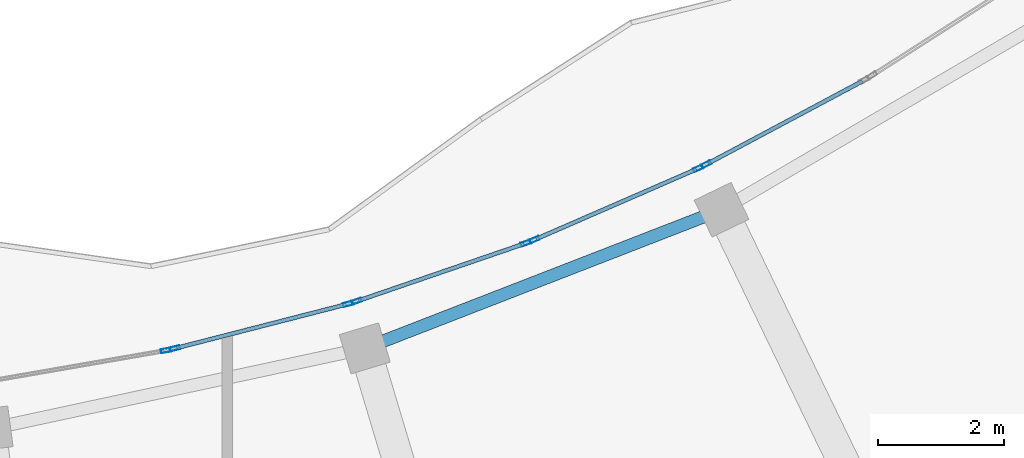
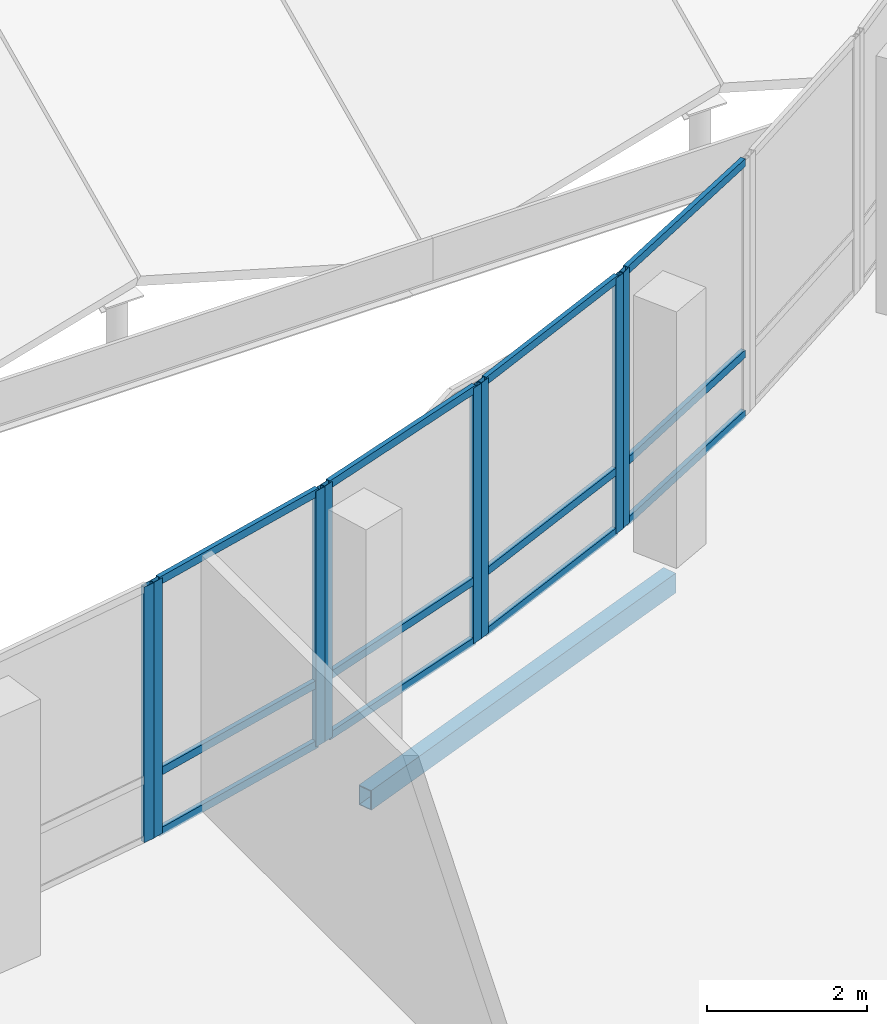
# One storey, part 41 of 184: 20 members, 1 beam, 5 elements without a shape of their own.
"""IFC4 building model written with IfcOpenShell, lengths in metres."""

from ifc_helpers import new_model, si_unit, direction, frame, origin, origin_2d, place, context, subcontext, project, spatial, hollow_rectangle, extrude, material, material_profile, profile_set, type_object, element, aggregate, save


model = new_model("IFC4")

# Units and contexts
model_context = context("Model", 3, precision=1e-05, world=origin(), true_north=direction((0.0, 1.0)))
body_context = subcontext(model_context, "Body", "Model", "MODEL_VIEW")
ifc_project = project(units=[si_unit("LENGTHUNIT", "METRE"), si_unit("AREAUNIT", "SQUARE_METRE"), si_unit("VOLUMEUNIT", "CUBIC_METRE"), si_unit("PLANEANGLEUNIT", "RADIAN"), si_unit("MASSUNIT", "GRAM", prefix="KILO")], contexts=[model_context])

# Site, building, storey
site_placement = place(None, origin())
site = spatial("IfcSite", under=ifc_project, at=site_placement, CompositionType="ELEMENT")
building_placement = place(site_placement, origin())
building = spatial("IfcBuilding", under=site, at=building_placement, Name="Selatvlak General Hospital", CompositionType="ELEMENT")
storey_placement = place(building_placement, frame((0.0, 0.0, 15.0)))
storey = spatial("IfcBuildingStorey", under=building, at=storey_placement, Name="L03", CompositionType="ELEMENT", Elevation=15.0)

# Beam
ifc_material_1 = material(Name="Steel S355", Category="steel")
ifc_material_profile_1 = material_profile(ifc_material_1, hollow_rectangle(XDim=0.199951171875, YDim=0.300048828125, WallThickness=0.011962890625, at=origin_2d()), Name="RHS 300x200x12")
ifc_profile_set_1 = profile_set([ifc_material_profile_1], Name="Steel S355")
beam_type = type_object("IfcBeamType", Name="BM-SP3", PredefinedType="SPANDREL", material=ifc_profile_set_1)
beam_placement = place(storey_placement, frame((66.97900390625, 42.861083984375, -0.489990234375), z_axis=(0.932142667184, 0.362091215048, 0.0), x_axis=(-0.362091215048, 0.932142667184, 0.0)))
element("IfcBeam", 1, at=beam_placement, inside=storey, type_object=beam_type, Name="Beam BMR-L03-1481", PredefinedType="SPANDREL", context=body_context, shape_type="SweptSolid", body=[
    extrude(hollow_rectangle(XDim=0.199951171875, YDim=0.300048828125, WallThickness=0.011962890625, at=origin_2d()), origin(), (0.0, 0.0, 1.0), 6.072998046875),
])

# Curtain wall, member
ifc_material_2 = material(Name="Solar-control Low-E double glazing", Category="glass")
curtain_wall_type_1 = type_object("IfcCurtainWallType", Name="CW-CW-02", PredefinedType="USERDEFINED", material=ifc_material_2)
curtain_wall_1_placement = place(storey_placement, origin())
curtain_wall_1 = element("IfcCurtainWall", 2, at=curtain_wall_1_placement, inside=storey, type_object=curtain_wall_type_1, Name="Glazed facade curtain wall CW-L03-0452", ObjectType="UNITISED CURTAIN WALL", PredefinedType="USERDEFINED")
ifc_material_3 = material(Name="Dark anodised aluminium mullion", Category="aluminium")
ifc_material_profile_2 = material_profile(ifc_material_3, hollow_rectangle(XDim=0.06494140625, YDim=0.159912109375, WallThickness=0.00390625, at=origin_2d()), Name="AL-MUL 65x160x4")
ifc_profile_set_2 = profile_set([ifc_material_profile_2], Name="Dark anodised aluminium mullion")
member_type_1 = type_object("IfcMemberType", Name="CWM-01", PredefinedType="MULLION", material=ifc_profile_set_2)
member_1_placement = place(storey_placement, frame((63.823974609375, 42.827392578125, 0.0), z_axis=(0.0, 0.0, 1.0), x_axis=(-0.170657302344, 0.985330444651, 0.0)))
member_1 = element("IfcMember", 3, at=member_1_placement, type_object=member_type_1, Name="CW-02 mullion 2", PredefinedType="MULLION", context=body_context, shape_type="SweptSolid", body=[
    extrude(hollow_rectangle(XDim=0.06494140625, YDim=0.159912109375, WallThickness=0.00390625, at=origin_2d()), origin(), (0.0, 0.0, 1.0), 3.89501953125),
])
aggregate(curtain_wall_1, [member_1])

# Curtain wall, members
curtain_wall_type_2 = type_object("IfcCurtainWallType", Name="CW-CW-01", PredefinedType="USERDEFINED", material=ifc_material_2)
curtain_wall_2_placement = place(storey_placement, origin())
curtain_wall_2 = element("IfcCurtainWall", 4, at=curtain_wall_2_placement, inside=storey, type_object=curtain_wall_type_2, Name="Glazed facade curtain wall CW-L03-0453", ObjectType="UNITISED CURTAIN WALL", PredefinedType="USERDEFINED")
member_2_placement = place(storey_placement, frame((63.965576171875, 42.860107421875, 0.0), z_axis=(0.0, 0.0, 1.0), x_axis=(-0.248607304863, 0.968604360907, 0.0)))
member_2 = element("IfcMember", 5, at=member_2_placement, type_object=member_type_1, Name="CW-01 mullion 1", PredefinedType="MULLION", context=body_context, shape_type="SweptSolid", body=[
    extrude(hollow_rectangle(XDim=0.06494140625, YDim=0.159912109375, WallThickness=0.00390625, at=origin_2d()), origin(), (0.0, 0.0, 1.0), 3.89501953125),
])
member_3_placement = place(storey_placement, frame((66.715576171875, 43.56591796875, 0.0), z_axis=(0.0, 0.0, 1.0), x_axis=(-0.248607304863, 0.968604360907, 0.0)))
member_3 = element("IfcMember", 6, at=member_3_placement, type_object=member_type_1, Name="CW-01 mullion 2", PredefinedType="MULLION", context=body_context, shape_type="SweptSolid", body=[
    extrude(hollow_rectangle(XDim=0.06494140625, YDim=0.159912109375, WallThickness=0.00390625, at=origin_2d()), origin(), (0.0, 0.0, 1.0), 3.89501953125),
])

curtain_wall_3_placement = place(storey_placement, origin())
curtain_wall_3 = element("IfcCurtainWall", 7, at=curtain_wall_3_placement, inside=storey, type_object=curtain_wall_type_1, Name="Glazed facade curtain wall CW-L03-0454", ObjectType="UNITISED CURTAIN WALL", PredefinedType="USERDEFINED")
member_4_placement = place(storey_placement, frame((66.853759765625, 43.609619140625, 0.0), z_axis=(0.0, 0.0, 1.0), x_axis=(-0.324491825998, 0.945888500226, 0.0)))
member_4 = element("IfcMember", 8, at=member_4_placement, type_object=member_type_1, Name="CW-02 mullion 1", PredefinedType="MULLION", context=body_context, shape_type="SweptSolid", body=[
    extrude(hollow_rectangle(XDim=0.06494140625, YDim=0.159912109375, WallThickness=0.00390625, at=origin_2d()), origin(), (0.0, 0.0, 1.0), 3.89501953125),
])
member_5_placement = place(storey_placement, frame((69.53515625, 44.529541015625, 0.0), z_axis=(0.0, 0.0, 1.0), x_axis=(-0.324491825998, 0.945888500226, 0.0)))
member_5 = element("IfcMember", 9, at=member_5_placement, type_object=member_type_1, Name="CW-02 mullion 2", PredefinedType="MULLION", context=body_context, shape_type="SweptSolid", body=[
    extrude(hollow_rectangle(XDim=0.06494140625, YDim=0.159912109375, WallThickness=0.00390625, at=origin_2d()), origin(), (0.0, 0.0, 1.0), 3.89501953125),
])

curtain_wall_4_placement = place(storey_placement, origin())
curtain_wall_4 = element("IfcCurtainWall", 10, at=curtain_wall_4_placement, inside=storey, type_object=curtain_wall_type_2, Name="Glazed facade curtain wall CW-L03-0455", ObjectType="UNITISED CURTAIN WALL", PredefinedType="USERDEFINED")
member_6_placement = place(storey_placement, frame((69.669677734375, 44.583984375, 0.0), z_axis=(0.0, 0.0, 1.0), x_axis=(-0.399117101371, 0.916899961497, 0.0)))
member_6 = element("IfcMember", 11, at=member_6_placement, type_object=member_type_1, Name="CW-01 mullion 1", PredefinedType="MULLION", context=body_context, shape_type="SweptSolid", body=[
    extrude(hollow_rectangle(XDim=0.06494140625, YDim=0.159912109375, WallThickness=0.00390625, at=origin_2d()), origin(), (0.0, 0.0, 1.0), 3.89501953125),
])
member_7_placement = place(storey_placement, frame((72.268310546875, 45.715087890625, 0.0), z_axis=(0.0, 0.0, 1.0), x_axis=(-0.399117101371, 0.916899961497, 0.0)))
member_7 = element("IfcMember", 12, at=member_7_placement, type_object=member_type_1, Name="CW-01 mullion 2", PredefinedType="MULLION", context=body_context, shape_type="SweptSolid", body=[
    extrude(hollow_rectangle(XDim=0.06494140625, YDim=0.159912109375, WallThickness=0.00390625, at=origin_2d()), origin(), (0.0, 0.0, 1.0), 3.89501953125),
])

# Curtain wall, member
curtain_wall_5_placement = place(storey_placement, origin())
curtain_wall_5 = element("IfcCurtainWall", 13, at=curtain_wall_5_placement, inside=storey, type_object=curtain_wall_type_1, Name="Glazed facade curtain wall CW-L03-0456", ObjectType="UNITISED CURTAIN WALL", PredefinedType="USERDEFINED")
member_8_placement = place(storey_placement, frame((72.397705078125, 45.7802734375, 0.0), z_axis=(0.0, 0.0, 1.0), x_axis=(-0.470338020096, 0.88248634372, 0.0)))
member_8 = element("IfcMember", 14, at=member_8_placement, type_object=member_type_1, Name="CW-02 mullion 1", PredefinedType="MULLION", context=body_context, shape_type="SweptSolid", body=[
    extrude(hollow_rectangle(XDim=0.06494140625, YDim=0.159912109375, WallThickness=0.00390625, at=origin_2d()), origin(), (0.0, 0.0, 1.0), 3.89501953125),
])

# Member
ifc_material_profile_3 = material_profile(ifc_material_3, hollow_rectangle(XDim=0.06494140625, YDim=0.1201171875, WallThickness=0.00390625, at=origin_2d()), Name="AL-TRN 65x120x4")
ifc_profile_set_3 = profile_set([ifc_material_profile_3], Name="Dark anodised aluminium mullion")
member_type_2 = type_object("IfcMemberType", Name="CWT-01", PredefinedType="USERDEFINED", material=ifc_profile_set_3)
member_9_placement = place(storey_placement, frame((63.9970703125, 42.8681640625, 0.032470703125), z_axis=(0.96860140011, 0.248618840206, 0.0), x_axis=(-0.248618840206, 0.96860140011, 0.0)))
member_9 = element("IfcMember", 15, at=member_9_placement, type_object=member_type_2, Name="CW-01 transom 1.1", ObjectType="TRANSOM", PredefinedType="USERDEFINED", context=body_context, shape_type="SweptSolid", body=[
    extrude(hollow_rectangle(XDim=0.06494140625, YDim=0.1201171875, WallThickness=0.00390625, at=origin_2d()), origin(), (0.0, 0.0, 1.0), 2.774169921875),
])

member_10_placement = place(storey_placement, frame((63.9970703125, 42.8681640625, 0.949951171875), z_axis=(0.96860140011, 0.248618840206, 0.0), x_axis=(-0.248618840206, 0.96860140011, 0.0)))
member_10 = element("IfcMember", 16, at=member_10_placement, type_object=member_type_2, Name="CW-01 transom 1.2", ObjectType="TRANSOM", PredefinedType="USERDEFINED", context=body_context, shape_type="SweptSolid", body=[
    extrude(hollow_rectangle(XDim=0.06494140625, YDim=0.1201171875, WallThickness=0.00390625, at=origin_2d()), origin(), (0.0, 0.0, 1.0), 2.774169921875),
])

member_11_placement = place(storey_placement, frame((63.9970703125, 42.8681640625, 3.862548828125), z_axis=(0.96860140011, 0.248618840206, 0.0), x_axis=(-0.248618840206, 0.96860140011, 0.0)))
member_11 = element("IfcMember", 17, at=member_11_placement, type_object=member_type_2, Name="CW-01 transom 1.3", ObjectType="TRANSOM", PredefinedType="USERDEFINED", context=body_context, shape_type="SweptSolid", body=[
    extrude(hollow_rectangle(XDim=0.06494140625, YDim=0.1201171875, WallThickness=0.00390625, at=origin_2d()), origin(), (0.0, 0.0, 1.0), 2.774169921875),
])

aggregate(curtain_wall_2, [member_2, member_3, member_9, member_10, member_11])

member_12_placement = place(storey_placement, frame((66.884521484375, 43.6201171875, 0.032470703125), z_axis=(0.945906537213, 0.324439243709, 0.0), x_axis=(-0.324439243709, 0.945906537213, 0.0)))
member_12 = element("IfcMember", 18, at=member_12_placement, type_object=member_type_2, Name="CW-02 transom 1.1", ObjectType="TRANSOM", PredefinedType="USERDEFINED", context=body_context, shape_type="SweptSolid", body=[
    extrude(hollow_rectangle(XDim=0.06494140625, YDim=0.1201171875, WallThickness=0.00390625, at=origin_2d()), origin(), (0.0, 0.0, 1.0), 2.77001953125),
])

member_13_placement = place(storey_placement, frame((66.884521484375, 43.6201171875, 0.949951171875), z_axis=(0.945906537213, 0.324439243709, 0.0), x_axis=(-0.324439243709, 0.945906537213, 0.0)))
member_13 = element("IfcMember", 19, at=member_13_placement, type_object=member_type_2, Name="CW-02 transom 1.2", ObjectType="TRANSOM", PredefinedType="USERDEFINED", context=body_context, shape_type="SweptSolid", body=[
    extrude(hollow_rectangle(XDim=0.06494140625, YDim=0.1201171875, WallThickness=0.00390625, at=origin_2d()), origin(), (0.0, 0.0, 1.0), 2.77001953125),
])

member_14_placement = place(storey_placement, frame((66.884521484375, 43.6201171875, 3.862548828125), z_axis=(0.945906537213, 0.324439243709, 0.0), x_axis=(-0.324439243709, 0.945906537213, 0.0)))
member_14 = element("IfcMember", 20, at=member_14_placement, type_object=member_type_2, Name="CW-02 transom 1.3", ObjectType="TRANSOM", PredefinedType="USERDEFINED", context=body_context, shape_type="SweptSolid", body=[
    extrude(hollow_rectangle(XDim=0.06494140625, YDim=0.1201171875, WallThickness=0.00390625, at=origin_2d()), origin(), (0.0, 0.0, 1.0), 2.77001953125),
])

aggregate(curtain_wall_3, [member_4, member_5, member_12, member_13, member_14])

member_15_placement = place(storey_placement, frame((69.69970703125, 44.596923828125, 0.032470703125), z_axis=(0.916872279603, 0.399180689533, 0.0), x_axis=(-0.399180689533, 0.916872279603, 0.0)))
member_15 = element("IfcMember", 21, at=member_15_placement, type_object=member_type_2, Name="CW-01 transom 1.1", ObjectType="TRANSOM", PredefinedType="USERDEFINED", context=body_context, shape_type="SweptSolid", body=[
    extrude(hollow_rectangle(XDim=0.06494140625, YDim=0.1201171875, WallThickness=0.00390625, at=origin_2d()), origin(), (0.0, 0.0, 1.0), 2.768798828125),
])

member_16_placement = place(storey_placement, frame((69.69970703125, 44.596923828125, 0.949951171875), z_axis=(0.916872279603, 0.399180689533, 0.0), x_axis=(-0.399180689533, 0.916872279603, 0.0)))
member_16 = element("IfcMember", 22, at=member_16_placement, type_object=member_type_2, Name="CW-01 transom 1.2", ObjectType="TRANSOM", PredefinedType="USERDEFINED", context=body_context, shape_type="SweptSolid", body=[
    extrude(hollow_rectangle(XDim=0.06494140625, YDim=0.1201171875, WallThickness=0.00390625, at=origin_2d()), origin(), (0.0, 0.0, 1.0), 2.768798828125),
])

member_17_placement = place(storey_placement, frame((69.69970703125, 44.596923828125, 3.862548828125), z_axis=(0.916872279603, 0.399180689533, 0.0), x_axis=(-0.399180689533, 0.916872279603, 0.0)))
member_17 = element("IfcMember", 23, at=member_17_placement, type_object=member_type_2, Name="CW-01 transom 1.3", ObjectType="TRANSOM", PredefinedType="USERDEFINED", context=body_context, shape_type="SweptSolid", body=[
    extrude(hollow_rectangle(XDim=0.06494140625, YDim=0.1201171875, WallThickness=0.00390625, at=origin_2d()), origin(), (0.0, 0.0, 1.0), 2.768798828125),
])

aggregate(curtain_wall_4, [member_6, member_7, member_15, member_16, member_17])

member_18_placement = place(storey_placement, frame((72.42626953125, 45.795654296875, 0.032470703125), z_axis=(0.882528266183, 0.470259353323, 0.0), x_axis=(-0.470259353323, 0.882528266183, 0.0)))
member_18 = element("IfcMember", 24, at=member_18_placement, type_object=member_type_2, Name="CW-02 transom 1.1", ObjectType="TRANSOM", PredefinedType="USERDEFINED", context=body_context, shape_type="SweptSolid", body=[
    extrude(hollow_rectangle(XDim=0.06494140625, YDim=0.1201171875, WallThickness=0.00390625, at=origin_2d()), origin(), (0.0, 0.0, 1.0), 2.7744140625),
])

member_19_placement = place(storey_placement, frame((72.42626953125, 45.795654296875, 0.949951171875), z_axis=(0.882528266183, 0.470259353323, 0.0), x_axis=(-0.470259353323, 0.882528266183, 0.0)))
member_19 = element("IfcMember", 25, at=member_19_placement, type_object=member_type_2, Name="CW-02 transom 1.2", ObjectType="TRANSOM", PredefinedType="USERDEFINED", context=body_context, shape_type="SweptSolid", body=[
    extrude(hollow_rectangle(XDim=0.06494140625, YDim=0.1201171875, WallThickness=0.00390625, at=origin_2d()), origin(), (0.0, 0.0, 1.0), 2.7744140625),
])

member_20_placement = place(storey_placement, frame((72.42626953125, 45.795654296875, 3.862548828125), z_axis=(0.882528266183, 0.470259353323, 0.0), x_axis=(-0.470259353323, 0.882528266183, 0.0)))
member_20 = element("IfcMember", 26, at=member_20_placement, type_object=member_type_2, Name="CW-02 transom 1.3", ObjectType="TRANSOM", PredefinedType="USERDEFINED", context=body_context, shape_type="SweptSolid", body=[
    extrude(hollow_rectangle(XDim=0.06494140625, YDim=0.1201171875, WallThickness=0.00390625, at=origin_2d()), origin(), (0.0, 0.0, 1.0), 2.7744140625),
])

aggregate(curtain_wall_5, [member_8, member_18, member_19, member_20])

save(model, "model.ifc")
